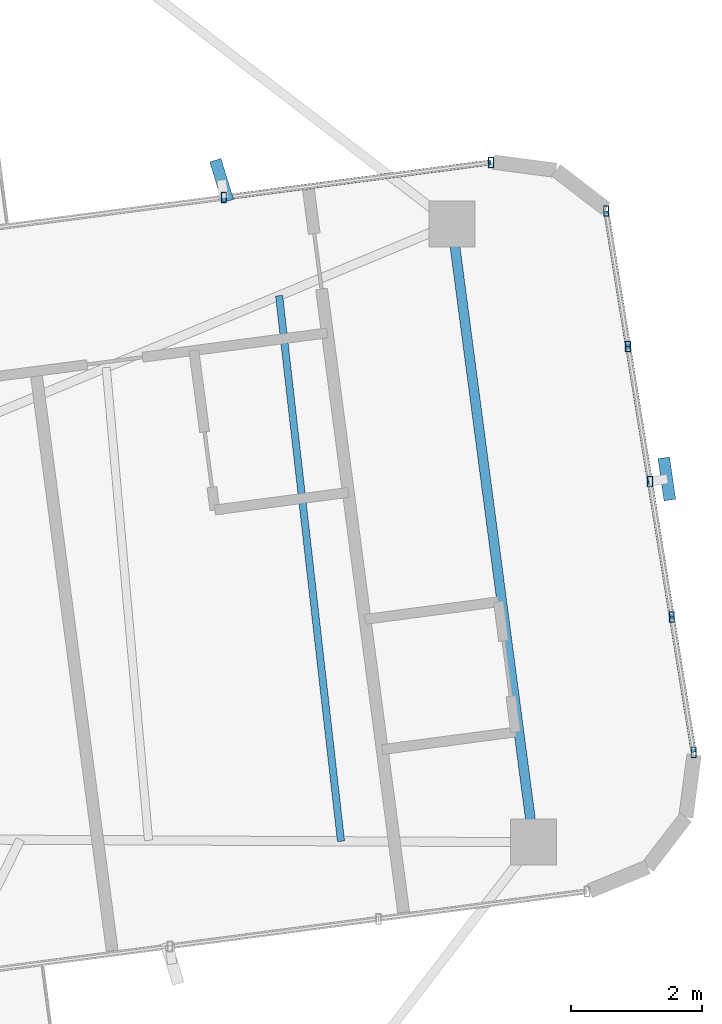
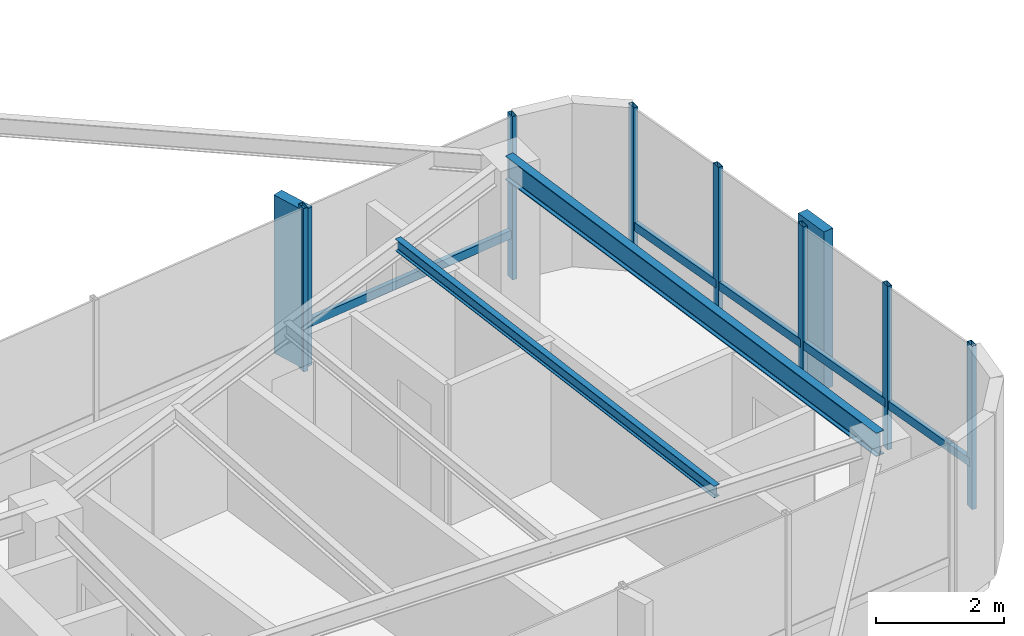
# One storey, part 13 of 22: 14 members, 2 beams, 2 elements without a shape of their own.
"""IFC4 building model written with IfcOpenShell, lengths in metres."""

from ifc_helpers import new_model, si_unit, direction, frame, origin, origin_2d, place, context, subcontext, project, spatial, rectangle, hollow_rectangle, i_section, extrude, source, transform, mapped, material, material_profile, profile_set, type_object, element, aggregate, save


model = new_model("IFC4")

# Units and contexts
model_context = context("Model", 3, precision=1e-05, world=origin(), true_north=direction((0.0, 1.0)))
body_context = subcontext(model_context, "Body", "Model", "MODEL_VIEW")
ifc_project = project(units=[si_unit("LENGTHUNIT", "METRE"), si_unit("AREAUNIT", "SQUARE_METRE"), si_unit("VOLUMEUNIT", "CUBIC_METRE"), si_unit("PLANEANGLEUNIT", "RADIAN"), si_unit("MASSUNIT", "GRAM", prefix="KILO")], contexts=[model_context])

# Site, building, storey
site_placement = place(None, origin())
site = spatial("IfcSite", under=ifc_project, at=site_placement, CompositionType="ELEMENT")
building_placement = place(site_placement, origin())
building = spatial("IfcBuilding", under=site, at=building_placement, Name="Sahyath Konkavel Grand Hotel", CompositionType="ELEMENT")
storey_placement = place(building_placement, frame((0.0, 0.0, 269.10009765625)))
storey = spatial("IfcBuildingStorey", under=building, at=storey_placement, Name="L75", CompositionType="ELEMENT", Elevation=269.10009765625)

# Beams
ifc_material_1 = material(Name="Steel E350", Category="steel")
ifc_material_profile_1 = material_profile(ifc_material_1, i_section(OverallWidth=0.14990234375, OverallDepth=0.449951171875, WebThickness=0.009521484375, FlangeThickness=0.017333984375, FilletRadius=0.014892578125, at=origin_2d()), Name="ISMB 450")
ifc_profile_set_1 = profile_set([ifc_material_profile_1], Name="Steel E350")
beam_type_1 = type_object("IfcBeamType", Name="BM-ISMB450", PredefinedType="BEAM", material=ifc_profile_set_1)
shared_shape_1 = source(origin(), body_context, "Body", "SweptSolid", [
    extrude(i_section(OverallWidth=0.14990234375, OverallDepth=0.449951171875, WebThickness=0.009521484375, FlangeThickness=0.017333984375, FilletRadius=0.014892578125, at=origin_2d()), origin(), (0.0, 0.0, 1.0), 9.5),
])
beam_1_placement = place(storey_placement, frame((17.71240234375, -2.458984375, 2.885009765625), z_axis=(-0.130525643939, 0.991444933556, 0.0), x_axis=(-0.991444933556, -0.130525643939, 0.0)))
element("IfcBeam", 1, at=beam_1_placement, inside=storey, type_object=beam_type_1, Name="L75 Wing Tip Edge Beam E", PredefinedType="BEAM", context=body_context, shape_type="MappedRepresentation", body=[
    mapped(shared_shape_1, transform((0.0, 0.0, 0.0), scale=1.0)),
])
ifc_material_profile_2 = material_profile(ifc_material_1, i_section(OverallWidth=0.110107421875, OverallDepth=0.22509765625, WebThickness=0.006591796875, FlangeThickness=0.01171875, FilletRadius=0.011962890625, at=origin_2d()), Name="ISMB 225")
ifc_profile_set_2 = profile_set([ifc_material_profile_2], Name="Steel E350")
beam_type_2 = type_object("IfcBeamType", Name="BM-ISMB225", PredefinedType="BEAM", material=ifc_profile_set_2)
shared_shape_2 = source(origin(), body_context, "Body", "SweptSolid", [
    extrude(i_section(OverallWidth=0.110107421875, OverallDepth=0.22509765625, WebThickness=0.006591796875, FlangeThickness=0.01171875, FilletRadius=0.011962890625, at=origin_2d()), origin(), (0.0, 0.0, 1.0), 8.36328125),
])
beam_2_placement = place(storey_placement, frame((14.781494140625, -2.44482421875, 2.997314453125), z_axis=(-0.112680437677, 0.99363127918, 0.0), x_axis=(-0.99363127918, -0.112680437677, 0.0)))
element("IfcBeam", 2, at=beam_2_placement, inside=storey, type_object=beam_type_2, Name="L75 Secondary Floor Beam E-3", PredefinedType="BEAM", context=body_context, shape_type="MappedRepresentation", body=[
    mapped(shared_shape_2, transform((0.0, 0.0, 0.0), scale=1.0)),
])

# Curtain wall, members
ifc_material_2 = material(Name="Anodised Bronze Aluminium & Low-E Glazing", Category="aluminium")
curtain_wall_type = type_object("IfcCurtainWallType", Name="CW-ZONE4", PredefinedType="NOTDEFINED", material=ifc_material_2)
curtain_wall_1_placement = place(storey_placement, origin())
curtain_wall_1 = element("IfcCurtainWall", 3, at=curtain_wall_1_placement, inside=storey, type_object=curtain_wall_type, Name="L75 Unitised Curtain Wall F4", PredefinedType="NOTDEFINED")
ifc_material_3 = material(Name="Anodised Bronze Aluminium", Category="aluminium")
ifc_material_profile_3 = material_profile(ifc_material_3, hollow_rectangle(XDim=0.080078125, YDim=0.159912109375, WallThickness=0.006103515625, at=origin_2d()), Name="RHS 160x80x6")
ifc_profile_set_3 = profile_set([ifc_material_profile_3], Name="Anodised Bronze Aluminium")
member_type_1 = type_object("IfcMemberType", Name="CW-MUL-160", PredefinedType="MULLION", material=ifc_profile_set_3)
shared_shape_3 = source(origin(), body_context, "Body", "SweptSolid", [
    extrude(hollow_rectangle(XDim=0.080078125, YDim=0.159912109375, WallThickness=0.006103515625, at=origin_2d()), origin(), (0.0, 0.0, 1.0), 3.10986328125),
])
member_1_placement = place(storey_placement, frame((20.1533203125, -1.0888671875, 0.0), z_axis=(0.0, 0.0, 1.0), x_axis=(1.0, 0.0, 0.0)))
member_1 = element("IfcMember", 4, at=member_1_placement, type_object=member_type_1, Name="L75 Curtain Wall Mullion F4-0", PredefinedType="MULLION", context=body_context, shape_type="MappedRepresentation", body=[
    mapped(shared_shape_3, transform((0.0, 0.0, 0.0), scale=1.0)),
])
member_2_placement = place(storey_placement, frame((19.8203125, 0.9716796875, 0.0), z_axis=(0.0, 0.0, 1.0), x_axis=(1.0, 0.0, 0.0)))
member_2 = element("IfcMember", 5, at=member_2_placement, type_object=member_type_1, Name="L75 Curtain Wall Mullion F4-1", PredefinedType="MULLION", context=body_context, shape_type="MappedRepresentation", body=[
    mapped(shared_shape_3, transform((0.0, 0.0, 0.0), scale=1.0)),
])
member_3_placement = place(storey_placement, frame((19.487060546875, 3.031982421875, 0.0), z_axis=(0.0, 0.0, 1.0), x_axis=(1.0, 0.0, 0.0)))
member_3 = element("IfcMember", 6, at=member_3_placement, type_object=member_type_1, Name="L75 Curtain Wall Mullion F4-2", PredefinedType="MULLION", context=body_context, shape_type="MappedRepresentation", body=[
    mapped(shared_shape_3, transform((0.0, 0.0, 0.0), scale=1.0)),
])
member_4_placement = place(storey_placement, frame((19.15380859375, 5.09228515625, 0.0), z_axis=(0.0, 0.0, 1.0), x_axis=(1.0, 0.0, 0.0)))
member_4 = element("IfcMember", 7, at=member_4_placement, type_object=member_type_1, Name="L75 Curtain Wall Mullion F4-3", PredefinedType="MULLION", context=body_context, shape_type="MappedRepresentation", body=[
    mapped(shared_shape_3, transform((0.0, 0.0, 0.0), scale=1.0)),
])
member_5_placement = place(storey_placement, frame((18.82080078125, 7.15283203125, 0.0), z_axis=(0.0, 0.0, 1.0), x_axis=(1.0, 0.0, 0.0)))
member_5 = element("IfcMember", 8, at=member_5_placement, type_object=member_type_1, Name="L75 Curtain Wall Mullion F4-4", PredefinedType="MULLION", context=body_context, shape_type="MappedRepresentation", body=[
    mapped(shared_shape_3, transform((0.0, 0.0, 0.0), scale=1.0)),
])

curtain_wall_2_placement = place(storey_placement, origin())
curtain_wall_2 = element("IfcCurtainWall", 9, at=curtain_wall_2_placement, inside=storey, type_object=curtain_wall_type, Name="L75 Unitised Curtain Wall F7", PredefinedType="NOTDEFINED")
member_6_placement = place(storey_placement, frame((17.0654296875, 7.89501953125, 0.0), z_axis=(0.0, 0.0, 1.0), x_axis=(1.0, 0.0, 0.0)))
member_6 = element("IfcMember", 10, at=member_6_placement, type_object=member_type_1, Name="L75 Curtain Wall Mullion F7-0", PredefinedType="MULLION", context=body_context, shape_type="MappedRepresentation", body=[
    mapped(shared_shape_3, transform((0.0, 0.0, 0.0), scale=1.0)),
])
member_7_placement = place(storey_placement, frame((12.997314453125, 7.359619140625, 0.0), z_axis=(0.0, 0.0, 1.0), x_axis=(1.0, 0.0, 0.0)))
member_7 = element("IfcMember", 11, at=member_7_placement, type_object=member_type_1, Name="L75 Curtain Wall Mullion F7-1", PredefinedType="MULLION", context=body_context, shape_type="MappedRepresentation", body=[
    mapped(shared_shape_3, transform((0.0, 0.0, 0.0), scale=1.0)),
])

# Member
ifc_material_4 = material(Name="Warm Buff Sandstone Cladding on Concrete C50/60", Category="masonry")
ifc_material_profile_4 = material_profile(ifc_material_4, rectangle(XDim=0.179931640625, YDim=0.64990234375, at=origin_2d()), Name="FIN 180x650")
ifc_profile_set_4 = profile_set([ifc_material_profile_4], Name="Warm Buff Sandstone Cladding on Concrete C50/60")
member_type_2 = type_object("IfcMemberType", Name="FIN-SANDSTONE-650", PredefinedType="MULLION", material=ifc_profile_set_4)
shared_shape_4 = source(origin(), body_context, "Body", "SweptSolid", [
    extrude(rectangle(XDim=0.179931640625, YDim=0.64990234375, at=origin_2d()), origin(), (0.0, 0.0, 1.0), 3.010009765625),
])
member_8_placement = place(storey_placement, frame((19.74365234375, 3.073486328125, 0.0498046875), z_axis=(0.0, 0.0, 1.0), x_axis=(0.989850775563, 0.142110668555, 0.0)))
member_8 = element("IfcMember", 12, at=member_8_placement, type_object=member_type_2, Name="L75 Sandstone Vertical Solar Fin FIN F4-2", PredefinedType="MULLION", context=body_context, shape_type="MappedRepresentation", body=[
    mapped(shared_shape_4, transform((0.0, 0.0, 0.0), scale=1.0)),
])

member_9_placement = place(storey_placement, frame((12.96337890625, 7.6171875, 0.0498046875), z_axis=(0.0, 0.0, 1.0), x_axis=(0.955690317134, 0.294373942013, 0.0)))
member_9 = element("IfcMember", 13, at=member_9_placement, type_object=member_type_2, Name="L75 Sandstone Vertical Solar Fin FIN F7-1", PredefinedType="MULLION", context=body_context, shape_type="MappedRepresentation", body=[
    mapped(shared_shape_4, transform((0.0, 0.0, 0.0), scale=1.0)),
])

ifc_material_profile_5 = material_profile(ifc_material_3, hollow_rectangle(XDim=0.080078125, YDim=0.159912109375, WallThickness=0.006103515625, at=origin_2d()), Name="RHS 160x80x6")
ifc_profile_set_5 = profile_set([ifc_material_profile_5], Name="Anodised Bronze Aluminium")
member_type_3 = type_object("IfcMemberType", Name="CW-TRN-160", PredefinedType="USERDEFINED", material=ifc_profile_set_5)
shared_shape_5 = source(origin(), body_context, "Body", "SweptSolid", [
    extrude(hollow_rectangle(XDim=0.080078125, YDim=0.159912109375, WallThickness=0.006103515625, at=origin_2d()), origin(), (0.0, 0.0, 1.0), 2.08740234375),
])
member_10_placement = place(storey_placement, frame((20.1533203125, -1.0888671875, 0.849853515625), z_axis=(-0.159541334591, 0.98719124923, 0.0), x_axis=(-0.98719124923, -0.159541334591, 0.0)))
member_10 = element("IfcMember", 14, at=member_10_placement, type_object=member_type_3, Name="L75 Curtain Wall Transom F4-0-spandrel", ObjectType="TRANSOM", PredefinedType="USERDEFINED", context=body_context, shape_type="MappedRepresentation", body=[
    mapped(shared_shape_5, transform((0.0, 0.0, 0.0), scale=1.0)),
])

member_11_placement = place(storey_placement, frame((19.15380859375, 5.09228515625, 0.849853515625), z_axis=(-0.159541334591, 0.98719124923, 0.0), x_axis=(-0.98719124923, -0.159541334591, 0.0)))
member_11 = element("IfcMember", 15, at=member_11_placement, type_object=member_type_3, Name="L75 Curtain Wall Transom F4-3-spandrel", ObjectType="TRANSOM", PredefinedType="USERDEFINED", context=body_context, shape_type="MappedRepresentation", body=[
    mapped(shared_shape_5, transform((0.0, 0.0, 0.0), scale=1.0)),
])

shared_shape_6 = source(origin(), body_context, "Body", "SweptSolid", [
    extrude(hollow_rectangle(XDim=0.080078125, YDim=0.159912109375, WallThickness=0.006103515625, at=origin_2d()), origin(), (0.0, 0.0, 1.0), 2.087158203125),
])
member_12_placement = place(storey_placement, frame((19.8203125, 0.9716796875, 0.849853515625), z_axis=(-0.159673756436, 0.98716983924, 0.0), x_axis=(-0.98716983924, -0.159673756436, 0.0)))
member_12 = element("IfcMember", 16, at=member_12_placement, type_object=member_type_3, Name="L75 Curtain Wall Transom F4-1-spandrel", ObjectType="TRANSOM", PredefinedType="USERDEFINED", context=body_context, shape_type="MappedRepresentation", body=[
    mapped(shared_shape_6, transform((0.0, 0.0, 0.0), scale=1.0)),
])

member_13_placement = place(storey_placement, frame((19.487060546875, 3.031982421875, 0.849853515625), z_axis=(-0.159673756436, 0.98716983924, 0.0), x_axis=(-0.98716983924, -0.159673756436, 0.0)))
member_13 = element("IfcMember", 17, at=member_13_placement, type_object=member_type_3, Name="L75 Curtain Wall Transom F4-2-spandrel", ObjectType="TRANSOM", PredefinedType="USERDEFINED", context=body_context, shape_type="MappedRepresentation", body=[
    mapped(shared_shape_6, transform((0.0, 0.0, 0.0), scale=1.0)),
])

aggregate(curtain_wall_1, [member_1, member_2, member_3, member_8, member_4, member_5, member_10, member_12, member_13, member_11])

shared_shape_7 = source(origin(), body_context, "Body", "SweptSolid", [
    extrude(hollow_rectangle(XDim=0.080078125, YDim=0.159912109375, WallThickness=0.006103515625, at=origin_2d()), origin(), (0.0, 0.0, 1.0), 4.103271484375),
])
member_14_placement = place(storey_placement, frame((17.0654296875, 7.89501953125, 0.849853515625), z_axis=(-0.991450447248, -0.130483756275, 0.0), x_axis=(0.130483756275, -0.991450447248, 0.0)))
member_14 = element("IfcMember", 18, at=member_14_placement, type_object=member_type_3, Name="L75 Curtain Wall Transom F7-0-spandrel", ObjectType="TRANSOM", PredefinedType="USERDEFINED", context=body_context, shape_type="MappedRepresentation", body=[
    mapped(shared_shape_7, transform((0.0, 0.0, 0.0), scale=1.0)),
])

aggregate(curtain_wall_2, [member_6, member_7, member_9, member_14])

save(model, "model.ifc")
